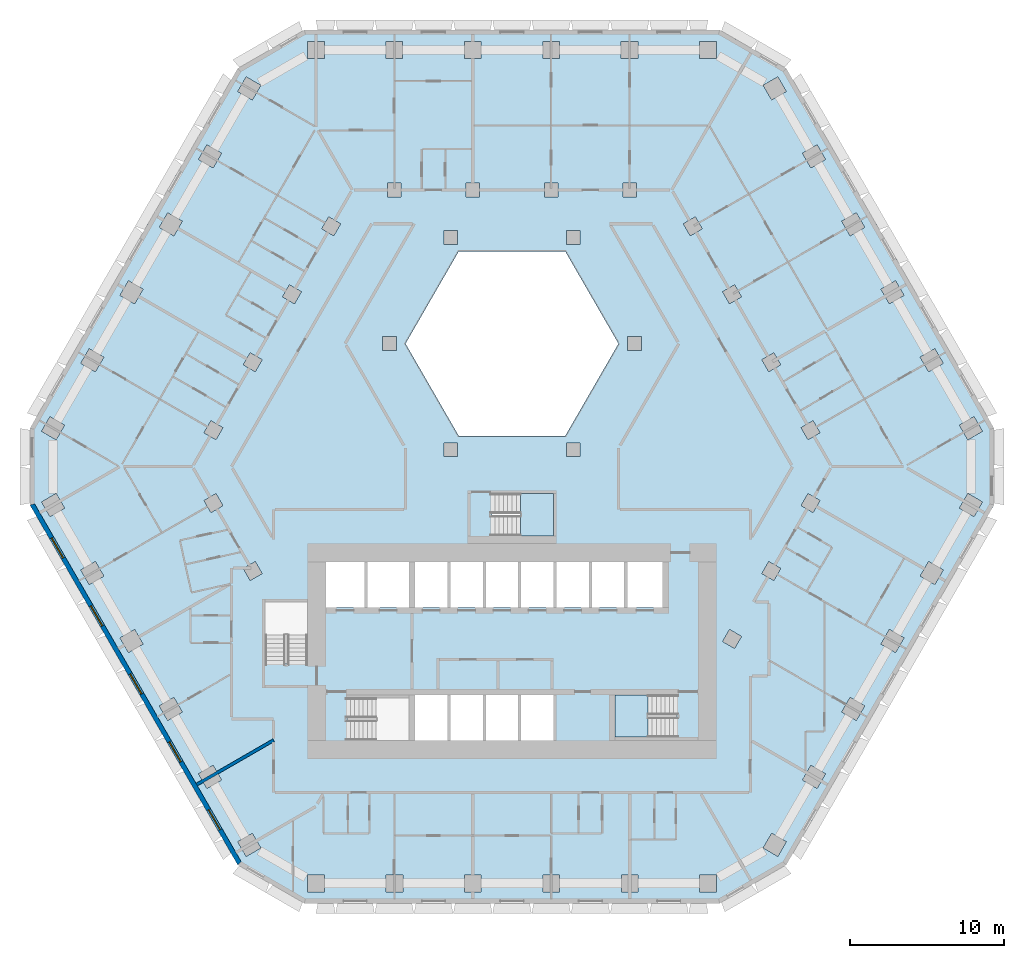
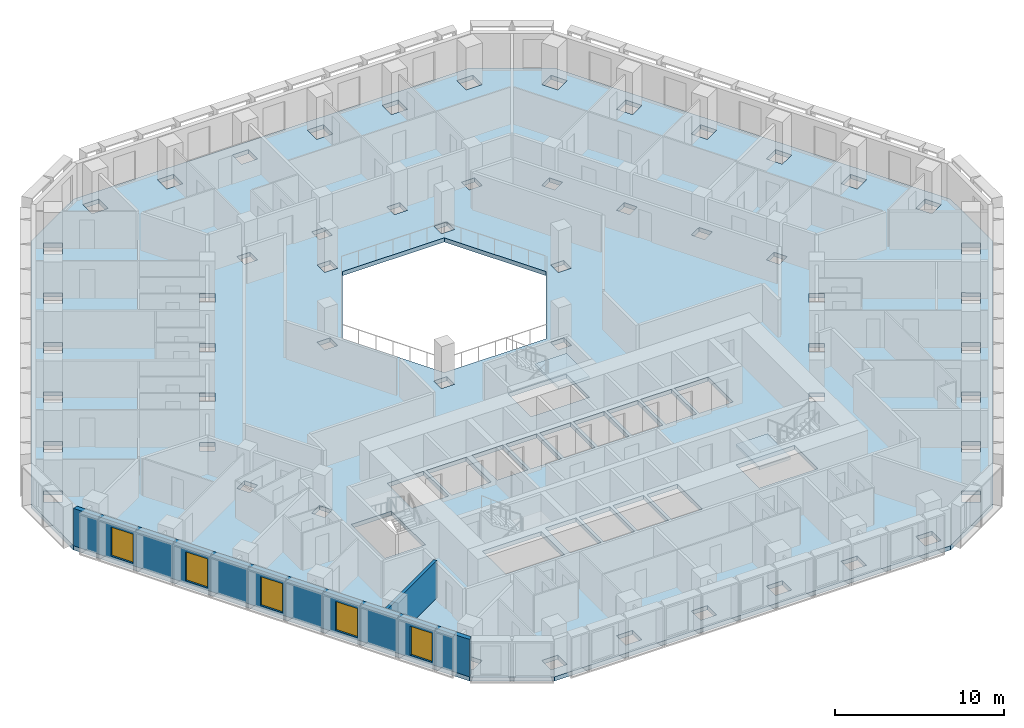
# One storey, part 2 of 16: 5 windows, 3 slabs, 2 walls, 5 openings, 2 elements without a shape of their own.
"""IFC4 building model written with IfcOpenShell, lengths in metres."""

from ifc_helpers import new_model, si_unit, direction, frame, frame_2d, origin, place, context, subcontext, project, spatial, polyline, rectangle, outline, extrude, material, layer, layer_set, type_object, element, fill, aggregate, save


model = new_model("IFC4")

# Units and contexts
model_context = context("Model", 3, precision=1e-05, world=origin(), true_north=direction((0.0, 1.0)))
body_context = subcontext(model_context, "Body", "Model", "MODEL_VIEW")
ifc_project = project(units=[si_unit("LENGTHUNIT", "METRE"), si_unit("AREAUNIT", "SQUARE_METRE"), si_unit("VOLUMEUNIT", "CUBIC_METRE"), si_unit("PLANEANGLEUNIT", "RADIAN"), si_unit("MASSUNIT", "GRAM", prefix="KILO")], contexts=[model_context])

# Site, building, storey
site_placement = place(None, origin())
site = spatial("IfcSite", under=ifc_project, at=site_placement, CompositionType="ELEMENT")
building_placement = place(site_placement, origin())
building = spatial("IfcBuilding", under=site, at=building_placement, Name="Beryl Residences", CompositionType="ELEMENT")
storey_placement = place(building_placement, frame((0.0, 0.0, 44.39990234375)))
storey = spatial("IfcBuildingStorey", under=building, at=storey_placement, Name="L13", CompositionType="ELEMENT", Elevation=44.39990234375)

# Slab
ifc_material_1 = material(Name="Concrete C40/50", Category="concrete")
ifc_layer_1 = layer(ifc_material_1, 0.300048828125)
ifc_layer_set_1 = layer_set([ifc_layer_1], Name="SL7 PT floor slab 300 mm C40/50")
slab_type_1 = type_object("IfcSlabType", Name="SL7 PT floor slab 300 mm C40/50", PredefinedType="FLOOR", material=ifc_layer_set_1)
slab_1_placement = place(storey_placement, frame((0.0, 0.0, -0.2998046875)))
element("IfcSlab", 1, at=slab_1_placement, inside=storey, type_object=slab_type_1, Name="L13 slab 1", PredefinedType="FLOOR", context=body_context, shape_type="SweptSolid", body=[
    extrude(outline(polyline([(31.35009765625, -2.5), (17.840087890625, -25.89990234375), (13.510009765625, -28.39990234375), (-13.510009765625, -28.39990234375), (-17.840087890625, -25.89990234375), (-31.35009765625, -2.5), (-31.35009765625, 2.5), (-17.840087890625, 25.89990234375), (-13.510009765625, 28.39990234375), (13.510009765625, 28.39990234375), (17.840087890625, 25.89990234375), (31.35009765625, 2.5), (31.35009765625, -2.5)]), holes=[polyline([(30.60009765625, -2.298095703125), (29.64794921875, -1.748046875), (29.097900390625, -2.699951171875), (30.050048828125, -3.25), (30.60009765625, -2.298095703125)]), polyline([(30.59912109375, 2.299072265625), (30.049072265625, 3.2509765625), (29.096923828125, 2.700927734375), (29.64697265625, 1.7490234375), (30.59912109375, 2.299072265625)]), polyline([(28.049072265625, -6.718017578125), (27.096923828125, -6.16796875), (26.547119140625, -7.1201171875), (27.4990234375, -7.669921875), (28.049072265625, -6.718017578125)]), polyline([(27.498046875, 7.672119140625), (26.5458984375, 7.1220703125), (27.095947265625, 6.169921875), (28.048095703125, 6.719970703125), (27.498046875, 7.672119140625)]), polyline([(24.544921875, -10.587890625), (23.9951171875, -11.5400390625), (24.947021484375, -12.090087890625), (25.4970703125, -11.137939453125), (24.544921875, -10.587890625)]), polyline([(25.49609375, 11.139892578125), (24.946044921875, 12.092041015625), (23.993896484375, 11.5419921875), (24.5439453125, 10.590087890625), (25.49609375, 11.139892578125)]), polyline([(22.39501953125, -16.510009765625), (22.945068359375, -15.55810546875), (21.992919921875, -15.008056640625), (21.443115234375, -15.9599609375), (22.39501953125, -16.510009765625)]), polyline([(22.39404296875, 16.511962890625), (21.44189453125, 15.9619140625), (21.991943359375, 15.010009765625), (22.944091796875, 15.56005859375), (22.39404296875, 16.511962890625)]), polyline([(20.39306640625, -19.97900390625), (19.44091796875, -19.428955078125), (18.89111328125, -20.381103515625), (19.843017578125, -20.930908203125), (20.39306640625, -19.97900390625)]), polyline([(19.842041015625, 20.931884765625), (18.889892578125, 20.382080078125), (19.43994140625, 19.429931640625), (20.39208984375, 19.97998046875), (19.842041015625, 20.931884765625)]), polyline([(20.031982421875, -2.2041015625), (19.251953125, -1.75390625), (18.802001953125, -2.533935546875), (19.58203125, -2.98388671875), (20.031982421875, -2.2041015625)]), polyline([(20.031005859375, 2.2060546875), (19.5810546875, 2.986083984375), (18.801025390625, 2.535888671875), (19.2509765625, 1.756103515625), (20.031005859375, 2.2060546875)]), polyline([(17.841064453125, -24.39892578125), (16.888916015625, -23.84912109375), (16.339111328125, -24.801025390625), (17.291015625, -25.35107421875), (17.841064453125, -24.39892578125)]), polyline([(17.840087890625, 24.39990234375), (17.2900390625, 25.35205078125), (16.337890625, 24.802001953125), (16.887939453125, 23.85009765625), (17.840087890625, 24.39990234375)]), polyline([(17.47998046875, -6.6240234375), (16.699951171875, -6.174072265625), (16.25, -6.9541015625), (17.030029296875, -7.404052734375), (17.47998046875, -6.6240234375)]), polyline([(17.029052734375, 7.406005859375), (16.2490234375, 6.9560546875), (16.698974609375, 6.176025390625), (17.47900390625, 6.6259765625), (17.029052734375, 7.406005859375)]), polyline([(14.927978515625, -11.0439453125), (14.14794921875, -10.593994140625), (13.697998046875, -11.3740234375), (14.47802734375, -11.823974609375), (14.927978515625, -11.0439453125)]), polyline([(14.927001953125, 11.0458984375), (14.47705078125, 11.825927734375), (13.697021484375, 11.3759765625), (14.14697265625, 10.595947265625), (14.927001953125, 11.0458984375)]), polyline([(13.31103515625, -27.64990234375), (13.31103515625, -26.550048828125), (12.2109375, -26.550048828125), (12.2109375, -27.64990234375), (13.31103515625, -27.64990234375)]), polyline([(13.30908203125, 27.64990234375), (12.208984375, 27.64990234375), (12.208984375, 26.550048828125), (13.30908203125, 26.550048828125), (13.30908203125, 27.64990234375)]), polyline([(11.925048828125, 16.24609375), (11.14501953125, 15.7958984375), (11.594970703125, 15.01611328125), (12.375, 15.466064453125), (11.925048828125, 16.24609375)]), polyline([(10.699951171875, -14.85009765625), (6.699951171875, -14.85009765625), (6.699951171875, -17.60009765625), (10.699951171875, -17.60009765625), (10.699951171875, -14.85009765625)]), polyline([(9.800048828125, -6.199951171875), (7.5, -6.199951171875), (7.5, -9.14990234375), (9.800048828125, -9.14990234375), (9.800048828125, -6.199951171875)]), polyline([(8.4169921875, 7.550048828125), (8.4169921875, 8.449951171875), (7.51708984375, 8.449951171875), (7.51708984375, 7.550048828125), (8.4169921875, 7.550048828125)]), polyline([(7.10693359375, -27.64990234375), (8.20703125, -27.64990234375), (8.20703125, -26.550048828125), (7.10693359375, -26.550048828125), (7.10693359375, -27.64990234375)]), polyline([(8.205078125, 27.64990234375), (7.10498046875, 27.64990234375), (7.10498046875, 26.550048828125), (8.205078125, 26.550048828125), (8.205078125, 27.64990234375)]), polyline([(7.205078125, 18.449951171875), (7.205078125, 17.550048828125), (8.10498046875, 17.550048828125), (8.10498046875, 18.449951171875), (7.205078125, 18.449951171875)]), polyline([(5.199951171875, -9.14990234375), (7.300048828125, -9.14990234375), (7.300048828125, -6.199951171875), (5.199951171875, -6.199951171875), (5.199951171875, -9.14990234375)]), polyline([(3.464111328125, 14.0), (-3.464111328125, 14.0), (-6.92822265625, 8.0), (-3.464111328125, 2.0), (3.464111328125, 2.0), (6.92822265625, 8.0), (3.464111328125, 14.0)]), polyline([(2.89990234375, -6.199951171875), (2.89990234375, -9.14990234375), (5.0, -9.14990234375), (5.0, -6.199951171875), (2.89990234375, -6.199951171875)]), polyline([(4.43408203125, 15.35009765625), (3.533935546875, 15.35009765625), (3.533935546875, 14.449951171875), (4.43408203125, 14.449951171875), (4.43408203125, 15.35009765625)]), polyline([(4.43408203125, 0.64990234375), (4.43408203125, 1.550048828125), (3.533935546875, 1.550048828125), (3.533935546875, 0.64990234375), (4.43408203125, 0.64990234375)]), polyline([(3.10302734375, -27.64990234375), (3.10302734375, -26.550048828125), (2.0029296875, -26.550048828125), (2.0029296875, -27.64990234375), (3.10302734375, -27.64990234375)]), polyline([(2.0009765625, 27.64990234375), (2.0009765625, 26.550048828125), (3.10107421875, 26.550048828125), (3.10107421875, 27.64990234375), (2.0009765625, 27.64990234375)]), polyline([(3.0009765625, 18.449951171875), (2.10107421875, 18.449951171875), (2.10107421875, 17.550048828125), (3.0009765625, 17.550048828125), (3.0009765625, 18.449951171875)]), polyline([(-1.300048828125, -1.75), (-1.300048828125, -4.5), (2.699951171875, -4.5), (2.699951171875, -1.75), (-1.300048828125, -1.75)]), polyline([(0.60009765625, -9.14990234375), (2.699951171875, -9.14990234375), (2.699951171875, -6.199951171875), (0.60009765625, -6.199951171875), (0.60009765625, -9.14990234375)]), polyline([(0.60009765625, -17.800048828125), (2.699951171875, -17.800048828125), (2.699951171875, -14.85009765625), (0.60009765625, -14.85009765625), (0.60009765625, -17.800048828125)]), polyline([(-1.699951171875, -6.199951171875), (-1.699951171875, -9.14990234375), (0.39990234375, -9.14990234375), (0.39990234375, -6.199951171875), (-1.699951171875, -6.199951171875)]), polyline([(-1.699951171875, -14.85009765625), (-1.699951171875, -17.800048828125), (0.39990234375, -17.800048828125), (0.39990234375, -14.85009765625), (-1.699951171875, -14.85009765625)]), polyline([(-4.0, -9.14990234375), (-1.89990234375, -9.14990234375), (-1.89990234375, -6.199951171875), (-4.0, -6.199951171875), (-4.0, -9.14990234375)]), polyline([(-4.0, -17.800048828125), (-1.89990234375, -17.800048828125), (-1.89990234375, -14.85009765625), (-4.0, -14.85009765625), (-4.0, -17.800048828125)]), polyline([(-2.0009765625, -27.64990234375), (-2.0009765625, -26.550048828125), (-3.10107421875, -26.550048828125), (-3.10107421875, -27.64990234375), (-2.0009765625, -27.64990234375)]), polyline([(-3.10302734375, 27.64990234375), (-3.10302734375, 26.550048828125), (-2.0029296875, 26.550048828125), (-2.0029296875, 27.64990234375), (-3.10302734375, 27.64990234375)]), polyline([(-2.10302734375, 18.449951171875), (-3.0029296875, 18.449951171875), (-3.0029296875, 17.550048828125), (-2.10302734375, 17.550048828125), (-2.10302734375, 18.449951171875)]), polyline([(-3.533935546875, 14.449951171875), (-3.533935546875, 15.35009765625), (-4.43408203125, 15.35009765625), (-4.43408203125, 14.449951171875), (-3.533935546875, 14.449951171875)]), polyline([(-3.533935546875, 0.64990234375), (-3.533935546875, 1.550048828125), (-4.43408203125, 1.550048828125), (-4.43408203125, 0.64990234375), (-3.533935546875, 0.64990234375)]), polyline([(-6.300048828125, -9.14990234375), (-4.199951171875, -9.14990234375), (-4.199951171875, -6.199951171875), (-6.300048828125, -6.199951171875), (-6.300048828125, -9.14990234375)]), polyline([(-6.300048828125, -14.85009765625), (-6.300048828125, -17.800048828125), (-4.199951171875, -17.800048828125), (-4.199951171875, -14.85009765625), (-6.300048828125, -14.85009765625)]), polyline([(-6.699951171875, -17.800048828125), (-6.699951171875, -15.050048828125), (-10.699951171875, -15.050048828125), (-10.699951171875, -17.800048828125), (-6.699951171875, -17.800048828125)]), polyline([(-9.39990234375, -6.199951171875), (-9.39990234375, -9.14990234375), (-6.699951171875, -9.14990234375), (-6.699951171875, -6.199951171875), (-9.39990234375, -6.199951171875)]), polyline([(-8.205078125, -27.64990234375), (-7.10498046875, -27.64990234375), (-7.10498046875, -26.550048828125), (-8.205078125, -26.550048828125), (-8.205078125, -27.64990234375)]), polyline([(-7.10693359375, 27.64990234375), (-8.20703125, 27.64990234375), (-8.20703125, 26.550048828125), (-7.10693359375, 26.550048828125), (-7.10693359375, 27.64990234375)]), polyline([(-8.10693359375, 18.449951171875), (-8.10693359375, 17.550048828125), (-7.20703125, 17.550048828125), (-7.20703125, 18.449951171875), (-8.10693359375, 18.449951171875)]), polyline([(-8.4169921875, 7.550048828125), (-7.51708984375, 7.550048828125), (-7.51708984375, 8.449951171875), (-8.4169921875, 8.449951171875), (-8.4169921875, 7.550048828125)]), polyline([(-12.10009765625, -6.199951171875), (-12.10009765625, -9.14990234375), (-9.60009765625, -9.14990234375), (-9.60009765625, -6.199951171875), (-12.10009765625, -6.199951171875)]), polyline([(-12.3759765625, 15.465087890625), (-11.595947265625, 15.014892578125), (-11.14599609375, 15.794921875), (-11.926025390625, 16.2451171875), (-12.3759765625, 15.465087890625)]), polyline([(-12.208984375, -26.550048828125), (-13.30908203125, -26.550048828125), (-13.30908203125, -27.64990234375), (-12.208984375, -27.64990234375), (-12.208984375, -26.550048828125)]), polyline([(-13.31103515625, 27.64990234375), (-13.31103515625, 26.550048828125), (-12.2109375, 26.550048828125), (-12.2109375, 27.64990234375), (-13.31103515625, 27.64990234375)]), polyline([(-13.300048828125, -8.800048828125), (-16.050048828125, -8.800048828125), (-16.050048828125, -12.800048828125), (-13.300048828125, -12.800048828125), (-13.300048828125, -8.800048828125)]), polyline([(-14.47802734375, 11.823974609375), (-14.927978515625, 11.0439453125), (-14.14794921875, 10.593994140625), (-13.697998046875, 11.3740234375), (-14.47802734375, 11.823974609375)]), polyline([(-17.029052734375, -7.406005859375), (-16.2490234375, -6.9560546875), (-16.698974609375, -6.176025390625), (-17.47900390625, -6.6259765625), (-17.029052734375, -7.406005859375)]), polyline([(-17.47998046875, 6.6240234375), (-16.699951171875, 6.174072265625), (-16.25, 6.9541015625), (-17.030029296875, 7.404052734375), (-17.47998046875, 6.6240234375)]), polyline([(-17.2900390625, -25.35205078125), (-16.337890625, -24.802001953125), (-16.887939453125, -23.85009765625), (-17.840087890625, -24.39990234375), (-17.2900390625, -25.35205078125)]), polyline([(-17.841064453125, 24.39892578125), (-16.888916015625, 23.84912109375), (-16.339111328125, 24.801025390625), (-17.291015625, 25.35107421875), (-17.841064453125, 24.39892578125)]), polyline([(-20.031005859375, -2.2060546875), (-19.5810546875, -2.986083984375), (-18.801025390625, -2.535888671875), (-19.2509765625, -1.756103515625), (-20.031005859375, -2.2060546875)]), polyline([(-19.58203125, 2.98388671875), (-20.031982421875, 2.2041015625), (-19.251953125, 1.75390625), (-18.802001953125, 2.533935546875), (-19.58203125, 2.98388671875)]), polyline([(-19.842041015625, -20.931884765625), (-18.889892578125, -20.382080078125), (-19.43994140625, -19.429931640625), (-20.39208984375, -19.97998046875), (-19.842041015625, -20.931884765625)]), polyline([(-20.39306640625, 19.97900390625), (-19.44091796875, 19.428955078125), (-18.89111328125, 20.381103515625), (-19.843017578125, 20.930908203125), (-20.39306640625, 19.97900390625)]), polyline([(-22.39404296875, -16.511962890625), (-21.44189453125, -15.9619140625), (-21.991943359375, -15.010009765625), (-22.944091796875, -15.56005859375), (-22.39404296875, -16.511962890625)]), polyline([(-22.945068359375, 15.55810546875), (-21.992919921875, 15.008056640625), (-21.443115234375, 15.9599609375), (-22.39501953125, 16.510009765625), (-22.945068359375, 15.55810546875)]), polyline([(-24.946044921875, -12.092041015625), (-23.993896484375, -11.5419921875), (-24.5439453125, -10.590087890625), (-25.49609375, -11.139892578125), (-24.946044921875, -12.092041015625)]), polyline([(-24.544921875, 10.587890625), (-23.9951171875, 11.5400390625), (-24.947021484375, 12.090087890625), (-25.4970703125, 11.137939453125), (-24.544921875, 10.587890625)]), polyline([(-27.498046875, -7.672119140625), (-26.5458984375, -7.1220703125), (-27.095947265625, -6.169921875), (-28.048095703125, -6.719970703125), (-27.498046875, -7.672119140625)]), polyline([(-28.049072265625, 6.718017578125), (-27.096923828125, 6.16796875), (-26.547119140625, 7.1201171875), (-27.4990234375, 7.669921875), (-28.049072265625, 6.718017578125)]), polyline([(-29.096923828125, -2.700927734375), (-29.64697265625, -1.7490234375), (-30.59912109375, -2.299072265625), (-30.049072265625, -3.2509765625), (-29.096923828125, -2.700927734375)]), polyline([(-30.60009765625, 2.298095703125), (-29.64794921875, 1.748046875), (-29.097900390625, 2.699951171875), (-30.050048828125, 3.25), (-30.60009765625, 2.298095703125)])]), origin(), (0.0, 0.0, 1.0), 0.2998046875),
])

# Stair, slab
ifc_material_2 = material(Name="Concrete C40/50", Category="concrete")
stair_type = type_object("IfcStairType", Name="ST1 protected exit stair, half-turn, 1300 mm flights", PredefinedType="HALF_TURN_STAIR", material=ifc_material_2)
stair_1_placement = place(storey_placement, origin())
stair_1 = element("IfcStair", 2, at=stair_1_placement, inside=storey, type_object=stair_type, Name="L13 PROTECTED EXIT STAIR ST-3", PredefinedType="HALF_TURN_STAIR")
ifc_material_3 = material(Name="Concrete C40/50", Category="concrete")
ifc_layer_2 = layer(ifc_material_3, 0.199951171875)
ifc_layer_set_2 = layer_set([ifc_layer_2], Name="SLD1 stair landing 200 mm")
slab_type_2 = type_object("IfcSlabType", Name="SLD1 stair landing 200 mm", PredefinedType="LANDING", material=ifc_layer_set_2)
slab_2_placement = place(storey_placement, frame((0.0, 0.0, 1.300048828125)))
slab_2 = element("IfcSlab", 3, at=slab_2_placement, type_object=slab_type_2, Name="ST-3 landing 1", PredefinedType="LANDING", context=body_context, shape_type="SweptSolid", body=[
    extrude(outline(polyline([(8.840087890625, -14.85009765625), (6.699951171875, -14.85009765625), (6.699951171875, -17.60009765625), (8.840087890625, -17.60009765625), (8.840087890625, -14.85009765625)])), origin(), (0.0, 0.0, 1.0), 0.199951171875),
])
aggregate(stair_1, [slab_2])

stair_2_placement = place(storey_placement, origin())
stair_2 = element("IfcStair", 4, at=stair_2_placement, inside=storey, type_object=stair_type, Name="L13 PROTECTED EXIT STAIR ST-4", PredefinedType="HALF_TURN_STAIR")
slab_3_placement = place(storey_placement, frame((0.0, 0.0, 1.300048828125)))
slab_3 = element("IfcSlab", 5, at=slab_3_placement, type_object=slab_type_2, Name="ST-4 landing 1", PredefinedType="LANDING", context=body_context, shape_type="SweptSolid", body=[
    extrude(outline(polyline([(0.56005859375, -4.5), (2.699951171875, -4.5), (2.699951171875, -1.75), (0.56005859375, -1.75), (0.56005859375, -4.5)])), origin(), (0.0, 0.0, 1.0), 0.199951171875),
])
aggregate(stair_2, [slab_3])

# Wall, openings, windows
ifc_material_4 = material(Name="Composite metal panel with mineral wool insulation")
ifc_layer_3 = layer(ifc_material_4, 0.300048828125)
ifc_layer_set_3 = layer_set([ifc_layer_3], Name="ES1 pale metal composite panel wall 300 mm")
wall_type_1 = type_object("IfcWallType", Name="ES1 pale metal composite panel wall 300 mm", PredefinedType="SOLIDWALL", material=ifc_layer_set_3)
wall_1_placement = place(storey_placement, frame((-31.219970703125, -2.425048828125, 0.0), z_axis=(0.0, 0.0, 1.0), x_axis=(0.500001938803, -0.866024284413, 0.0)))
wall_1 = element("IfcWall", 6, at=wall_1_placement, inside=storey, type_object=wall_type_1, Name="ES1 external wall L13 SW", PredefinedType="SOLIDWALL", context=body_context, shape_type="SweptSolid", body=[
    extrude(outline(polyline([(0.0, -0.14990234375), (27.02001953125, -0.14990234375), (26.939697265625, 0.14990234375), (0.080322265625, 0.14990234375), (0.0, -0.14990234375)])), origin(), (0.0, 0.0, 1.0), 2.7001953125),
])
opening_1_placement = place(wall_1_placement, frame((2.552978515625, 0.0, 0.14990234375)))
opening_1 = element("IfcOpeningElement", 7, at=opening_1_placement, cuts=wall_1, Name="Opening W1", PredefinedType="OPENING", context=body_context, shape_type="SweptSolid", body=[
    extrude(rectangle(XDim=1.5, YDim=2.10009765625, at=frame_2d((0.75, 1.050048828125))), frame((0.0, 0.159912109375, 0.0), z_axis=(0.0, -1.0, 0.0), x_axis=(1.0, 0.0, 0.0)), (0.0, 0.0, 1.0), 0.320068359375),
])
opening_2_placement = place(wall_1_placement, frame((7.656982421875, 0.0, 0.14990234375)))
opening_2 = element("IfcOpeningElement", 8, at=opening_2_placement, cuts=wall_1, Name="Opening W1", PredefinedType="OPENING", context=body_context, shape_type="SweptSolid", body=[
    extrude(rectangle(XDim=1.5, YDim=2.10009765625, at=frame_2d((0.75, 1.050048828125))), frame((0.0, 0.159912109375, 0.0), z_axis=(0.0, -1.0, 0.0), x_axis=(1.0, 0.0, 0.0)), (0.0, 0.0, 1.0), 0.320068359375),
])
opening_3_placement = place(wall_1_placement, frame((12.760986328125, 0.0, 0.14990234375)))
opening_3 = element("IfcOpeningElement", 9, at=opening_3_placement, cuts=wall_1, Name="Opening W1", PredefinedType="OPENING", context=body_context, shape_type="SweptSolid", body=[
    extrude(rectangle(XDim=1.5, YDim=2.10009765625, at=frame_2d((0.75, 1.050048828125))), frame((0.0, 0.159912109375, 0.0), z_axis=(0.0, -1.0, 0.0), x_axis=(1.0, 0.0, 0.0)), (0.0, 0.0, 1.0), 0.320068359375),
])
opening_4_placement = place(wall_1_placement, frame((17.864990234375, 0.0, 0.14990234375)))
opening_4 = element("IfcOpeningElement", 10, at=opening_4_placement, cuts=wall_1, Name="Opening W1", PredefinedType="OPENING", context=body_context, shape_type="SweptSolid", body=[
    extrude(rectangle(XDim=1.5, YDim=2.10009765625, at=frame_2d((0.75, 1.050048828125))), frame((0.0, 0.159912109375, 0.0), z_axis=(0.0, -1.0, 0.0), x_axis=(1.0, 0.0, 0.0)), (0.0, 0.0, 1.0), 0.320068359375),
])
opening_5_placement = place(wall_1_placement, frame((22.968994140625, 0.0, 0.14990234375)))
opening_5 = element("IfcOpeningElement", 11, at=opening_5_placement, cuts=wall_1, Name="Opening W1", PredefinedType="OPENING", context=body_context, shape_type="SweptSolid", body=[
    extrude(rectangle(XDim=1.5, YDim=2.10009765625, at=frame_2d((0.75, 1.050048828125))), frame((0.0, 0.159912109375, 0.0), z_axis=(0.0, -1.0, 0.0), x_axis=(1.0, 0.0, 0.0)), (0.0, 0.0, 1.0), 0.320068359375),
])
ifc_material_5 = material(Name="Aluminium and clear glass", Category="aluminium")
window_type = type_object("IfcWindowType", Name="W1 cell window 1500 x 2100 mm", PartitioningType="SINGLE_PANEL", PredefinedType="WINDOW", material=ifc_material_5)
window_1_placement = place(opening_1_placement, origin())
window_1 = element("IfcWindow", 12, at=window_1_placement, inside=storey, type_object=window_type, Name="W1 window L13 SW 2", OverallHeight=2.10009765625, OverallWidth=1.5, PartitioningType="SINGLE_PANEL", PredefinedType="WINDOW", context=body_context, shape_type="SweptSolid", body=[
    extrude(rectangle(XDim=1.5, YDim=2.10009765625, at=frame_2d((0.75, 1.050048828125))), frame((0.0, 0.030029296875, 0.0), z_axis=(0.0, -1.0, 0.0), x_axis=(1.0, 0.0, 0.0)), (0.0, 0.0, 1.0), 0.06005859375),
])
fill(opening_1, window_1)
window_2_placement = place(opening_2_placement, origin())
window_2 = element("IfcWindow", 13, at=window_2_placement, inside=storey, type_object=window_type, Name="W1 window L13 SW 4", OverallHeight=2.10009765625, OverallWidth=1.5, PartitioningType="SINGLE_PANEL", PredefinedType="WINDOW", context=body_context, shape_type="SweptSolid", body=[
    extrude(rectangle(XDim=1.5, YDim=2.10009765625, at=frame_2d((0.75, 1.050048828125))), frame((0.0, 0.030029296875, 0.0), z_axis=(0.0, -1.0, 0.0), x_axis=(1.0, 0.0, 0.0)), (0.0, 0.0, 1.0), 0.06005859375),
])
fill(opening_2, window_2)
window_3_placement = place(opening_3_placement, origin())
window_3 = element("IfcWindow", 14, at=window_3_placement, inside=storey, type_object=window_type, Name="W1 window L13 SW 6", OverallHeight=2.10009765625, OverallWidth=1.5, PartitioningType="SINGLE_PANEL", PredefinedType="WINDOW", context=body_context, shape_type="SweptSolid", body=[
    extrude(rectangle(XDim=1.5, YDim=2.10009765625, at=frame_2d((0.75, 1.050048828125))), frame((0.0, 0.030029296875, 0.0), z_axis=(0.0, -1.0, 0.0), x_axis=(1.0, 0.0, 0.0)), (0.0, 0.0, 1.0), 0.06005859375),
])
fill(opening_3, window_3)
window_4_placement = place(opening_4_placement, origin())
window_4 = element("IfcWindow", 15, at=window_4_placement, inside=storey, type_object=window_type, Name="W1 window L13 SW 8", OverallHeight=2.10009765625, OverallWidth=1.5, PartitioningType="SINGLE_PANEL", PredefinedType="WINDOW", context=body_context, shape_type="SweptSolid", body=[
    extrude(rectangle(XDim=1.5, YDim=2.10009765625, at=frame_2d((0.75, 1.050048828125))), frame((0.0, 0.030029296875, 0.0), z_axis=(0.0, -1.0, 0.0), x_axis=(1.0, 0.0, 0.0)), (0.0, 0.0, 1.0), 0.06005859375),
])
fill(opening_4, window_4)
window_5_placement = place(opening_5_placement, origin())
window_5 = element("IfcWindow", 16, at=window_5_placement, inside=storey, type_object=window_type, Name="W1 window L13 SW 10", OverallHeight=2.10009765625, OverallWidth=1.5, PartitioningType="SINGLE_PANEL", PredefinedType="WINDOW", context=body_context, shape_type="SweptSolid", body=[
    extrude(rectangle(XDim=1.5, YDim=2.10009765625, at=frame_2d((0.75, 1.050048828125))), frame((0.0, 0.030029296875, 0.0), z_axis=(0.0, -1.0, 0.0), x_axis=(1.0, 0.0, 0.0)), (0.0, 0.0, 1.0), 0.06005859375),
])
fill(opening_5, window_5)

# Wall
ifc_material_6 = material(Name="Acoustic double stud gypsum board wall")
ifc_layer_4 = layer(ifc_material_6, 0.199951171875)
ifc_layer_set_4 = layer_set([ifc_layer_4], Name="PT3 party wall 200 mm acoustic double stud")
wall_type_2 = type_object("IfcWallType", Name="PT3 party wall 200 mm acoustic double stud", PredefinedType="PARTITIONING", material=ifc_layer_set_4)
wall_2_placement = place(storey_placement, frame((-20.507080078125, -20.680908203125, 0.0), z_axis=(0.0, 0.0, 1.0), x_axis=(0.86602314875, 0.500003905814, 0.0)))
element("IfcWall", 17, at=wall_2_placement, inside=storey, type_object=wall_type_2, Name="Wall PT3 L13 017", PredefinedType="PARTITIONING", context=body_context, shape_type="SweptSolid", body=[
    extrude(rectangle(XDim=5.78173828125, YDim=0.199951171875, at=frame_2d((2.890869140625, 0.0))), origin(), (0.0, 0.0, 1.0), 2.7001953125),
])

save(model, "model.ifc")
